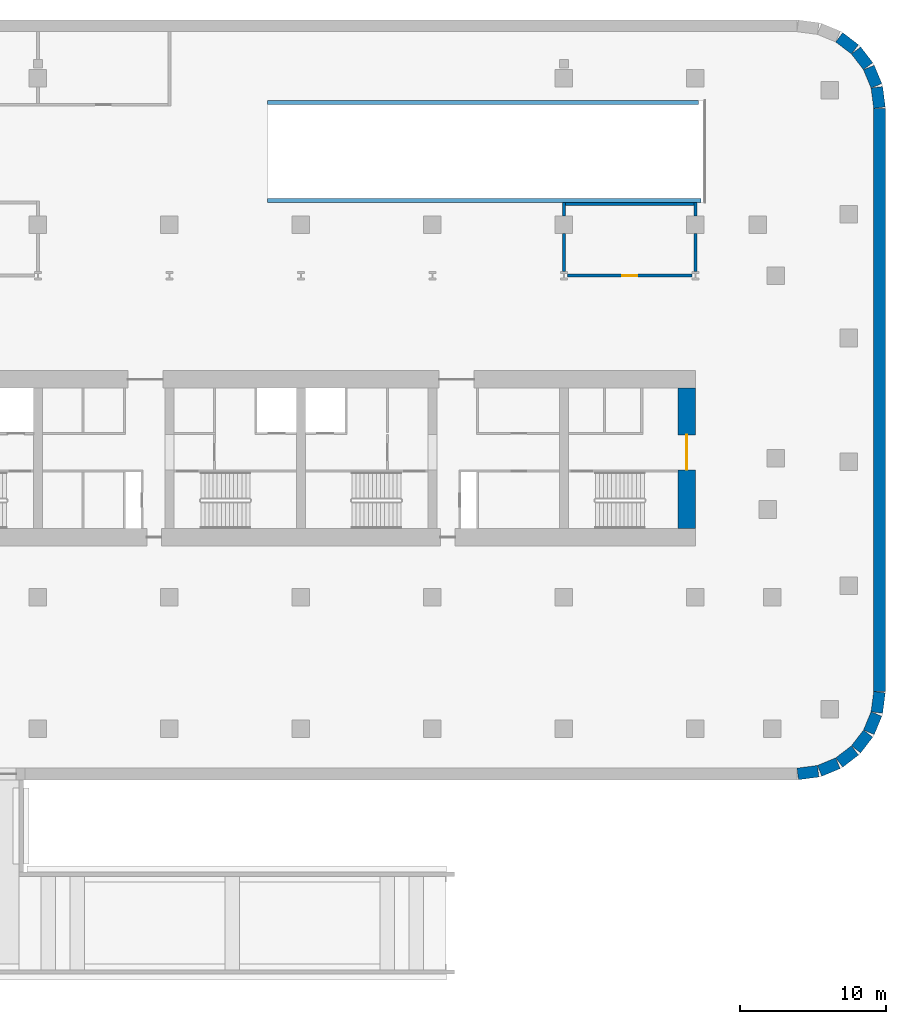
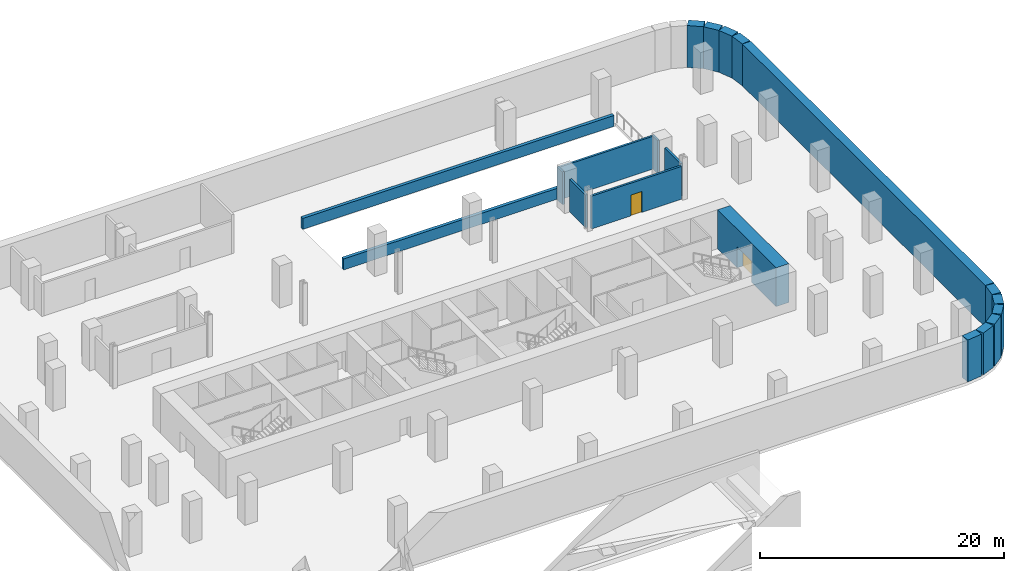
# One storey, part 4 of 6: 20 walls, 2 doors, 2 openings.
"""IFC4 building model written with IfcOpenShell, lengths in metres."""

from ifc_helpers import new_model, si_unit, direction, frame, frame_2d, origin, place, context, subcontext, project, spatial, rectangle, extrude, material, layer, layer_set, type_object, element, fill, save


model = new_model("IFC4")

# Units and contexts
model_context = context("Model", 3, precision=1e-05, world=origin(), true_north=direction((0.0, 1.0)))
body_context = subcontext(model_context, "Body", "Model", "MODEL_VIEW")
ifc_project = project(units=[si_unit("LENGTHUNIT", "METRE"), si_unit("AREAUNIT", "SQUARE_METRE"), si_unit("VOLUMEUNIT", "CUBIC_METRE"), si_unit("PLANEANGLEUNIT", "RADIAN"), si_unit("MASSUNIT", "GRAM", prefix="KILO")], contexts=[model_context])

# Site, building, storey
site_placement = place(None, origin())
site = spatial("IfcSite", under=ifc_project, at=site_placement, CompositionType="ELEMENT")
building_placement = place(site_placement, origin())
building = spatial("IfcBuilding", under=site, at=building_placement, Name="Zellij Exchange Tower", CompositionType="ELEMENT")
storey_placement = place(building_placement, frame((0.0, 0.0, -4.199951171875)))
storey = spatial("IfcBuildingStorey", under=building, at=storey_placement, Name="B1", CompositionType="ELEMENT", Elevation=-4.199951171875)

# Walls
ifc_material_1 = material(Name="Concrete C40/50", Category="concrete")
ifc_layer_1 = layer(ifc_material_1, 0.300048828125)
ifc_layer_set_1 = layer_set([ifc_layer_1], Name="Concrete C40/50")
wall_type_1 = type_object("IfcWallType", Name="BSM-Ramp wall 300", PredefinedType="SOLIDWALL", material=ifc_layer_set_1)
wall_1_placement = place(storey_placement, frame((-2.304931640625, 9.64990234375, 0.0), z_axis=(0.0, 0.0, 1.0), x_axis=(1.0, 0.0, 0.0)))
element("IfcWall", 1, at=wall_1_placement, inside=storey, type_object=wall_type_1, Name="Car park ramp side wall", PredefinedType="SOLIDWALL", context=body_context, shape_type="SweptSolid", body=[
    extrude(rectangle(XDim=29.679931640625, YDim=0.300048828125, at=frame_2d((14.83984375, 0.0))), origin(), (0.0, 0.0, 1.0), 1.099853515625),
])
wall_2_placement = place(storey_placement, frame((-2.304931640625, 16.35009765625, 0.0), z_axis=(0.0, 0.0, 1.0), x_axis=(1.0, 0.0, 0.0)))
element("IfcWall", 2, at=wall_2_placement, inside=storey, type_object=wall_type_1, Name="Car park ramp side wall", PredefinedType="SOLIDWALL", context=body_context, shape_type="SweptSolid", body=[
    extrude(rectangle(XDim=29.5048828125, YDim=0.300048828125, at=frame_2d((14.75244140625, 0.0))), origin(), (0.0, 0.0, 1.0), 1.099853515625),
])

# Wall, opening, door
ifc_material_2 = material(Name="Concrete C32/40", Category="concrete")
ifc_layer_2 = layer(ifc_material_2, 0.199951171875)
ifc_layer_set_2 = layer_set([ifc_layer_2], Name="Concrete C32/40")
wall_type_2 = type_object("IfcWallType", Name="BSM-Wall 200", PredefinedType="PARTITIONING", material=ifc_layer_set_2)
wall_3_placement = place(storey_placement, frame((18.227294921875, 4.5, 0.0), z_axis=(0.0, 0.0, 1.0), x_axis=(1.0, 0.0, 0.0)))
wall_3 = element("IfcWall", 3, at=wall_3_placement, inside=storey, type_object=wall_type_2, Name="Partition 2", PredefinedType="PARTITIONING", context=body_context, shape_type="SweptSolid", body=[
    extrude(rectangle(XDim=8.54541015625, YDim=0.199951171875, at=frame_2d((4.272705078125, 0.0))), origin(), (0.0, 0.0, 1.0), 3.287841796875),
])
opening_1_placement = place(wall_3_placement, frame((3.772705078125, 0.0, 0.0)))
opening_1 = element("IfcOpeningElement", 4, at=opening_1_placement, cuts=wall_3, Name="Opening BS1.02", PredefinedType="OPENING", context=body_context, shape_type="SweptSolid", body=[
    extrude(rectangle(XDim=1.0, YDim=2.10009765625, at=frame_2d((0.5, 1.050048828125))), frame((0.0, 0.11181640625, 0.0), z_axis=(0.0, -1.0, 0.0), x_axis=(1.0, 0.0, 0.0)), (0.0, 0.0, 1.0), 0.223876953125),
])
ifc_material_3 = material(Name="Painted steel door leaf", Category="steel")
door_type_1 = type_object("IfcDoorType", Name="BSM-Door 1000x2100 FD60", OperationType="SINGLE_SWING_LEFT", PredefinedType="DOOR", material=ifc_material_3)
door_1_placement = place(opening_1_placement, origin())
door_1 = element("IfcDoor", 5, at=door_1_placement, inside=storey, type_object=door_type_1, Name="bsm.B1.door.BS1.02", OperationType="SINGLE_SWING_LEFT", OverallHeight=2.10009765625, OverallWidth=1.0, PredefinedType="DOOR", context=body_context, shape_type="SweptSolid", body=[
    extrude(rectangle(XDim=1.0, YDim=2.10009765625, at=frame_2d((0.5, 1.050048828125))), frame((0.0, 0.02490234375, 0.0), z_axis=(0.0, -1.0, 0.0), x_axis=(1.0, 0.0, 0.0)), (0.0, 0.0, 1.0), 0.050048828125),
])
fill(opening_1, door_1)

# Walls
wall_4_placement = place(storey_placement, frame((18.10009765625, 9.39990234375, 0.0), z_axis=(0.0, 0.0, 1.0), x_axis=(1.0, 0.0, 0.0)))
element("IfcWall", 6, at=wall_4_placement, inside=storey, type_object=wall_type_2, Name="Partition 3", PredefinedType="PARTITIONING", context=body_context, shape_type="SweptSolid", body=[
    extrude(rectangle(XDim=8.7998046875, YDim=0.199951171875, at=frame_2d((4.39990234375, 0.0))), origin(), (0.0, 0.0, 1.0), 3.287841796875),
])
wall_5_placement = place(storey_placement, frame((18.0, 4.784423828125, 0.0), z_axis=(0.0, 0.0, 1.0), x_axis=(0.0, 1.0, 0.0)))
element("IfcWall", 7, at=wall_5_placement, inside=storey, type_object=wall_type_2, Name="Partition 15", PredefinedType="PARTITIONING", context=body_context, shape_type="SweptSolid", body=[
    extrude(rectangle(XDim=2.615478515625, YDim=0.199951171875, at=frame_2d((1.3076171875, 0.0))), origin(), (0.0, 0.0, 1.0), 3.287841796875),
])
wall_6_placement = place(storey_placement, frame((18.0, 8.60009765625, 0.0), z_axis=(0.0, 0.0, 1.0), x_axis=(0.0, 1.0, 0.0)))
element("IfcWall", 8, at=wall_6_placement, inside=storey, type_object=wall_type_2, Name="Partition 16", PredefinedType="PARTITIONING", context=body_context, shape_type="SweptSolid", body=[
    extrude(rectangle(XDim=0.89990234375, YDim=0.199951171875, at=frame_2d((0.449951171875, 0.0))), origin(), (0.0, 0.0, 1.0), 3.287841796875),
])
wall_7_placement = place(storey_placement, frame((27.0, 4.784423828125, 0.0), z_axis=(0.0, 0.0, 1.0), x_axis=(0.0, 1.0, 0.0)))
element("IfcWall", 9, at=wall_7_placement, inside=storey, type_object=wall_type_2, Name="Partition 17", PredefinedType="PARTITIONING", context=body_context, shape_type="SweptSolid", body=[
    extrude(rectangle(XDim=2.615478515625, YDim=0.199951171875, at=frame_2d((1.3076171875, 0.0))), origin(), (0.0, 0.0, 1.0), 3.287841796875),
])
wall_8_placement = place(storey_placement, frame((27.0, 8.60009765625, 0.0), z_axis=(0.0, 0.0, 1.0), x_axis=(0.0, 1.0, 0.0)))
element("IfcWall", 10, at=wall_8_placement, inside=storey, type_object=wall_type_2, Name="Partition 18", PredefinedType="PARTITIONING", context=body_context, shape_type="SweptSolid", body=[
    extrude(rectangle(XDim=0.89990234375, YDim=0.199951171875, at=frame_2d((0.449951171875, 0.0))), origin(), (0.0, 0.0, 1.0), 3.287841796875),
])

# Wall, opening, door
ifc_material_4 = material(Name="Concrete C70/85", Category="concrete")
ifc_layer_3 = layer(ifc_material_4, 1.199951171875)
ifc_layer_set_3 = layer_set([ifc_layer_3], Name="Concrete C70/85")
wall_type_3 = type_object("IfcWallType", Name="CORE-SW 1200 C70/85", PredefinedType="SHEAR", material=ifc_layer_set_3)
wall_9_placement = place(storey_placement, frame((26.39990234375, -12.800048828125, 0.0), z_axis=(0.0, 0.0, 1.0), x_axis=(0.0, 1.0, 0.0)))
wall_9 = element("IfcWall", 11, at=wall_9_placement, inside=storey, type_object=wall_type_3, Name="Core shear wall end e B1", PredefinedType="SHEAR", context=body_context, shape_type="SweptSolid", body=[
    extrude(rectangle(XDim=9.60009765625, YDim=1.199951171875, at=frame_2d((4.800048828125, 0.0))), origin(), (0.0, 0.0, 1.0), 3.89990234375),
])
opening_2_placement = place(wall_9_placement, frame((4.011962890625, 0.0, 0.0)))
opening_2 = element("IfcOpeningElement", 12, at=opening_2_placement, cuts=wall_9, Name="Opening CA-02.20", PredefinedType="OPENING", context=body_context, shape_type="SweptSolid", body=[
    extrude(rectangle(XDim=2.39990234375, YDim=2.10009765625, at=frame_2d((1.199951171875, 1.050048828125))), frame((0.0, 0.61181640625, 0.0), z_axis=(0.0, -1.0, 0.0), x_axis=(1.0, 0.0, 0.0)), (0.0, 0.0, 1.0), 1.223876953125),
])
ifc_material_5 = material(Name="Hollow metal fire door")
door_type_2 = type_object("IfcDoorType", Name="CORE-D CE Core entrance door 2400x2100 20 MIN", OperationType="NOTDEFINED", PredefinedType="DOOR", material=ifc_material_5)
door_2_placement = place(opening_2_placement, origin())
door_2 = element("IfcDoor", 13, at=door_2_placement, inside=storey, type_object=door_type_2, Name="Core entrance door CA-02.20", OperationType="DOUBLE_DOOR_SINGLE_SWING", OverallHeight=2.10009765625, OverallWidth=2.39990234375, PredefinedType="DOOR", context=body_context, shape_type="SweptSolid", body=[
    extrude(rectangle(XDim=2.39990234375, YDim=2.10009765625, at=frame_2d((1.199951171875, 1.050048828125))), frame((0.0, 0.02490234375, 0.0), z_axis=(0.0, -1.0, 0.0), x_axis=(1.0, 0.0, 0.0)), (0.0, 0.0, 1.0), 0.050048828125),
])
fill(opening_2, door_2)

# Walls
ifc_layer_4 = layer(ifc_material_1, 0.800048828125)
ifc_layer_set_4 = layer_set([ifc_layer_4], Name="Concrete C40/50")
wall_type_4 = type_object("IfcWallType", Name="STR-RETAINING WALL 800 C40/50", PredefinedType="SOLIDWALL", material=ifc_layer_set_4)
for number, where, z_axis, x_axis, name in (
    (14, (36.840087890625, 20.814697265625, 0.0), (0.0, 0.0, 1.0), (0.793359897258, -0.608752883708, 0.0), "Retaining wall B1"),
    (15, (37.989501953125, 19.91552734375, 0.0), (0.0, 0.0, 1.0), (0.608752883708, -0.793359897258, 0.0), "Retaining wall B1"),
    (16, (38.866943359375, 18.74951171875, 0.0), (0.0, 0.0, 1.0), (0.38276009378, -0.923847774587, 0.0), "Retaining wall B1"),
):
    element("IfcWall", number, at=place(storey_placement, frame(where, z_axis=z_axis, x_axis=x_axis)), inside=storey, type_object=wall_type_4, Name=name, PredefinedType="SOLIDWALL", context=body_context, shape_type="SweptSolid", body=[
        extrude(rectangle(XDim=1.35546875, YDim=0.800048828125, at=frame_2d((0.677734375, 0.0))), origin(), (0.0, 0.0, 1.0), 4.199951171875),
    ])
wall_10_placement = place(storey_placement, frame((39.412841796875, 17.396240234375, 0.0), z_axis=(0.0, 0.0, 1.0), x_axis=(0.130517283865, -0.99144603414, 0.0)))
element("IfcWall", 17, at=wall_10_placement, inside=storey, type_object=wall_type_4, Name="Retaining wall B1", PredefinedType="SOLIDWALL", context=body_context, shape_type="SweptSolid", body=[
    extrude(rectangle(XDim=1.408447265625, YDim=0.800048828125, at=frame_2d((0.7041015625, 0.0))), origin(), (0.0, 0.0, 1.0), 4.199951171875),
])
wall_11_placement = place(storey_placement, frame((39.60009765625, 15.947509765625, 0.0), z_axis=(0.0, 0.0, 1.0), x_axis=(0.0, -1.0, 0.0)))
element("IfcWall", 18, at=wall_11_placement, inside=storey, type_object=wall_type_4, Name="Retaining wall B1", PredefinedType="SOLIDWALL", context=body_context, shape_type="SweptSolid", body=[
    extrude(rectangle(XDim=39.89501953125, YDim=0.800048828125, at=frame_2d((19.947509765625, 0.0))), origin(), (0.0, 0.0, 1.0), 4.199951171875),
])
wall_12_placement = place(storey_placement, frame((39.5966796875, -23.999755859375, 0.0), z_axis=(0.0, 0.0, 1.0), x_axis=(-0.130517283865, -0.99144603414, 0.0)))
element("IfcWall", 19, at=wall_12_placement, inside=storey, type_object=wall_type_4, Name="Retaining wall B1", PredefinedType="SOLIDWALL", context=body_context, shape_type="SweptSolid", body=[
    extrude(rectangle(XDim=1.408447265625, YDim=0.800048828125, at=frame_2d((0.7041015625, 0.0))), origin(), (0.0, 0.0, 1.0), 4.199951171875),
])
for number, where, z_axis, x_axis, name in (
    (20, (39.3857421875, -25.497314453125, 0.0), (0.0, 0.0, 1.0), (-0.38276009378, -0.923847774587, 0.0), "Retaining wall B1"),
    (21, (38.814697265625, -26.840087890625, 0.0), (0.0, 0.0, 1.0), (-0.608752883708, -0.793359897258, 0.0), "Retaining wall B1"),
    (22, (37.91552734375, -27.989501953125, 0.0), (0.0, 0.0, 1.0), (-0.793359897258, -0.608752883708, 0.0), "Retaining wall B1"),
    (23, (36.74951171875, -28.866943359375, 0.0), (0.0, 0.0, 1.0), (-0.923847774587, -0.38276009378, 0.0), "Retaining wall B1"),
):
    element("IfcWall", number, at=place(storey_placement, frame(where, z_axis=z_axis, x_axis=x_axis)), inside=storey, type_object=wall_type_4, Name=name, PredefinedType="SOLIDWALL", context=body_context, shape_type="SweptSolid", body=[
        extrude(rectangle(XDim=1.35546875, YDim=0.800048828125, at=frame_2d((0.677734375, 0.0))), origin(), (0.0, 0.0, 1.0), 4.199951171875),
    ])
wall_13_placement = place(storey_placement, frame((35.396240234375, -29.412841796875, 0.0), z_axis=(0.0, 0.0, 1.0), x_axis=(-0.99144603414, -0.130517283865, 0.0)))
element("IfcWall", 24, at=wall_13_placement, inside=storey, type_object=wall_type_4, Name="Retaining wall B1", PredefinedType="SOLIDWALL", context=body_context, shape_type="SweptSolid", body=[
    extrude(rectangle(XDim=1.408447265625, YDim=0.800048828125, at=frame_2d((0.7041015625, 0.0))), origin(), (0.0, 0.0, 1.0), 4.199951171875),
])

save(model, "model.ifc")
